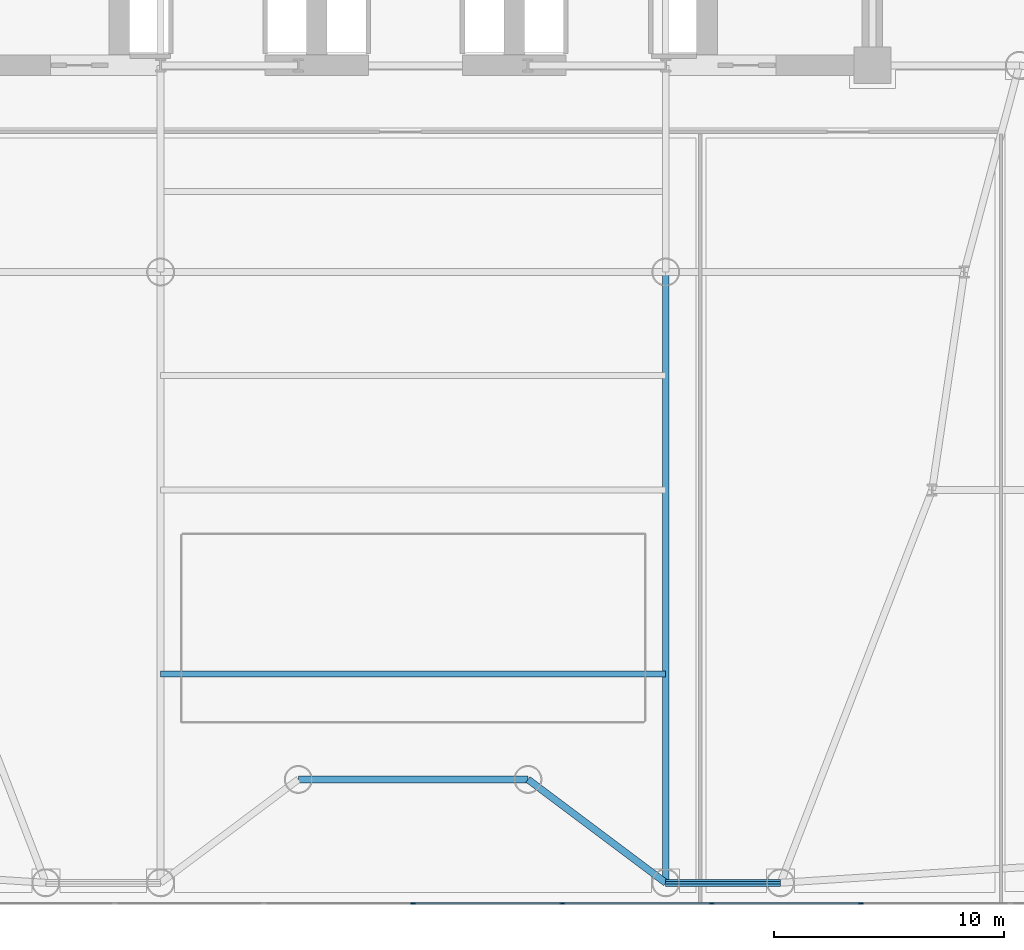
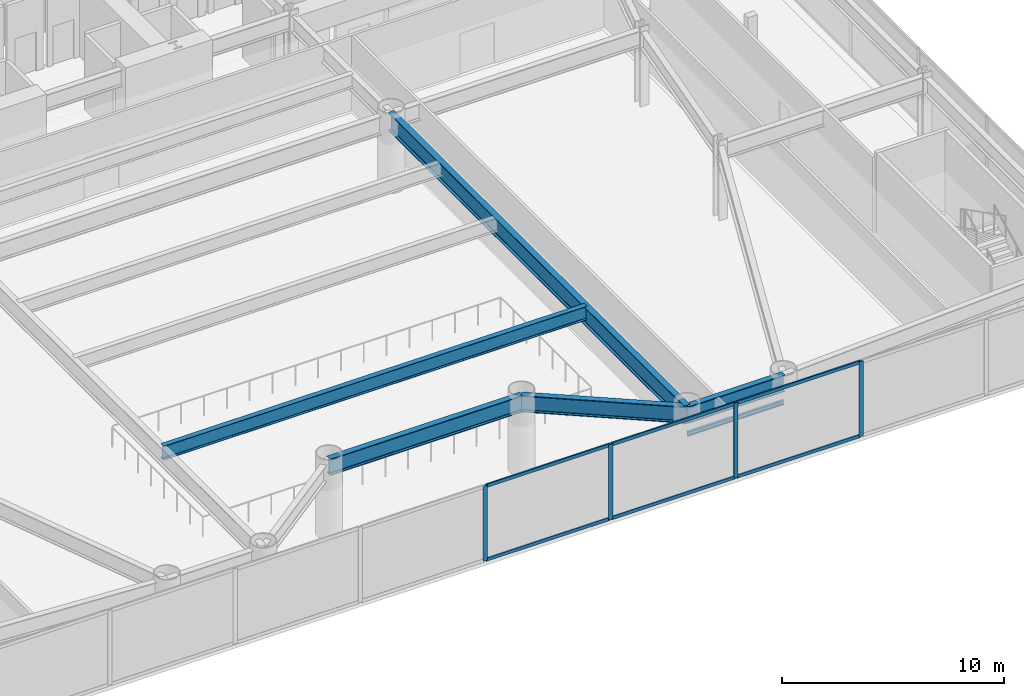
# One storey, part 4 of 24: 10 members, 6 beams, 1 element without a shape of its own.
"""IFC4 building model written with IfcOpenShell, lengths in metres."""

from ifc_helpers import new_model, si_unit, direction, frame, origin, origin_2d, place, context, subcontext, project, spatial, rectangle, i_section, extrude, source, transform, mapped, material, layer, layer_set, material_profile, profile_set, type_object, element, aggregate, save


model = new_model("IFC4")

# Units and contexts
model_context = context("Model", 3, precision=1e-05, world=origin(), true_north=direction((0.0, 1.0)))
body_context = subcontext(model_context, "Body", "Model", "MODEL_VIEW")
ifc_project = project(units=[si_unit("LENGTHUNIT", "METRE"), si_unit("AREAUNIT", "SQUARE_METRE"), si_unit("VOLUMEUNIT", "CUBIC_METRE"), si_unit("PLANEANGLEUNIT", "RADIAN"), si_unit("MASSUNIT", "GRAM", prefix="KILO")], contexts=[model_context])

# Site, building, storey
site_placement = place(None, origin())
site = spatial("IfcSite", under=ifc_project, at=site_placement, CompositionType="ELEMENT")
building_placement = place(site_placement, origin())
building = spatial("IfcBuilding", under=site, at=building_placement, Name="Vaeldorn Concourse Tower", CompositionType="ELEMENT")
storey_placement = place(building_placement, frame((0.0, 0.0, 5.60009765625)))
storey = spatial("IfcBuildingStorey", under=building, at=storey_placement, Name="L01", CompositionType="ELEMENT", Elevation=5.60009765625)

# Beams
ifc_material_1 = material(Name="Steel S355", Category="steel")
ifc_material_profile_1 = material_profile(ifc_material_1, i_section(OverallWidth=0.302001953125, OverallDepth=0.909912109375, WebThickness=0.02099609375, FlangeThickness=0.0400390625, FilletRadius=0.030029296875, at=origin_2d()), Name="HEM 900")
ifc_profile_set_1 = profile_set([ifc_material_profile_1], Name="Steel S355")
beam_type_1 = type_object("IfcBeamType", Name="BM-PG-HEM900", PredefinedType="BEAM", material=ifc_profile_set_1)
shared_shape_1 = source(origin(), body_context, "Body", "SweptSolid", [
    extrude(i_section(OverallWidth=0.302001953125, OverallDepth=0.909912109375, WebThickness=0.02099609375, FlangeThickness=0.0400390625, FilletRadius=0.030029296875, at=origin_2d()), origin(), (0.0, 0.0, 1.0), 10.0),
])
beam_1_placement = place(storey_placement, frame((29.0, 5.39990234375, 3.664794921875), z_axis=(1.0, 0.0, 0.0), x_axis=(0.0, 1.0, 0.0)))
element("IfcBeam", 1, at=beam_1_placement, inside=storey, type_object=beam_type_1, Name="Beam BM-L01-C-SM3-C-SM4", PredefinedType="BEAM", context=body_context, shape_type="MappedRepresentation", body=[
    mapped(shared_shape_1, transform((0.0, 0.0, 0.0), scale=1.0)),
])
shared_shape_2 = source(origin(), body_context, "Body", "SweptSolid", [
    extrude(i_section(OverallWidth=0.302001953125, OverallDepth=0.909912109375, WebThickness=0.02099609375, FlangeThickness=0.0400390625, FilletRadius=0.030029296875, at=origin_2d()), origin(), (0.0, 0.0, 1.0), 5.0),
])
beam_2_placement = place(storey_placement, frame((45.0, 0.89990234375, 3.664794921875), z_axis=(1.0, 0.0, 0.0), x_axis=(0.0, 1.0, 0.0)))
element("IfcBeam", 2, at=beam_2_placement, inside=storey, type_object=beam_type_1, Name="Beam BM-L01-C-SM5-C-SM6", PredefinedType="BEAM", context=body_context, shape_type="MappedRepresentation", body=[
    mapped(shared_shape_2, transform((0.0, 0.0, 0.0), scale=1.0)),
])
shared_shape_3 = source(origin(), body_context, "Body", "SweptSolid", [
    extrude(i_section(OverallWidth=0.302001953125, OverallDepth=0.909912109375, WebThickness=0.02099609375, FlangeThickness=0.0400390625, FilletRadius=0.030029296875, at=origin_2d()), origin(), (0.0, 0.0, 1.0), 7.5),
])
beam_3_placement = place(storey_placement, frame((39.0, 5.39990234375, 3.664794921875), z_axis=(0.8, -0.6, 0.0), x_axis=(0.6, 0.8, 0.0)))
element("IfcBeam", 3, at=beam_3_placement, inside=storey, type_object=beam_type_1, Name="Beam BM-L01-C-SM4-C-SM5", PredefinedType="BEAM", context=body_context, shape_type="MappedRepresentation", body=[
    mapped(shared_shape_3, transform((0.0, 0.0, 0.0), scale=1.0)),
])
ifc_material_2 = material(Name="Steel S460", Category="steel")
ifc_material_profile_2 = material_profile(ifc_material_2, i_section(OverallWidth=0.302001953125, OverallDepth=1.008056640625, WebThickness=0.02099609375, FlangeThickness=0.0400390625, FilletRadius=0.030029296875, at=origin_2d()), Name="HEM 1000")
ifc_profile_set_2 = profile_set([ifc_material_profile_2], Name="Steel S460")
beam_type_2 = type_object("IfcBeamType", Name="BM-TG-HEM1000", PredefinedType="BEAM", material=ifc_profile_set_2)
shared_shape_4 = source(origin(), body_context, "Body", "SweptSolid", [
    extrude(i_section(OverallWidth=0.302001953125, OverallDepth=1.008056640625, WebThickness=0.02099609375, FlangeThickness=0.0400390625, FilletRadius=0.030029296875, at=origin_2d()), origin(), (0.0, 0.0, 1.0), 26.60009765625),
])
beam_4_placement = place(storey_placement, frame((45.0, 0.89990234375, 3.615966796875), z_axis=(0.0, 1.0, 0.0), x_axis=(-1.0, 0.0, 0.0)))
element("IfcBeam", 4, at=beam_4_placement, inside=storey, type_object=beam_type_2, Name="Beam BM-L01-C-SM5-C-TW4", PredefinedType="BEAM", context=body_context, shape_type="MappedRepresentation", body=[
    mapped(shared_shape_4, transform((0.0, 0.0, 0.0), scale=1.0)),
])
ifc_material_profile_3 = material_profile(ifc_material_1, i_section(OverallWidth=0.26708984375, OverallDepth=0.761962890625, WebThickness=0.014404296875, FlangeThickness=0.021484375, FilletRadius=0.01708984375, at=origin_2d()), Name="IPE 750x173")
ifc_profile_set_3 = profile_set([ifc_material_profile_3], Name="Steel S355")
beam_type_3 = type_object("IfcBeamType", Name="BM-JS-IPE750", PredefinedType="JOIST", material=ifc_profile_set_3)
shared_shape_5 = source(origin(), body_context, "Body", "SweptSolid", [
    extrude(i_section(OverallWidth=0.26708984375, OverallDepth=0.761962890625, WebThickness=0.014404296875, FlangeThickness=0.021484375, FilletRadius=0.01708984375, at=origin_2d()), origin(), (0.0, 0.0, 1.0), 22.0),
])
beam_5_placement = place(storey_placement, frame((23.0, 10.0, 3.739013671875), z_axis=(1.0, 0.0, 0.0), x_axis=(0.0, 1.0, 0.0)))
element("IfcBeam", 5, at=beam_5_placement, inside=storey, type_object=beam_type_3, Name="Beam JS-L01-C-10", PredefinedType="JOIST", context=body_context, shape_type="MappedRepresentation", body=[
    mapped(shared_shape_5, transform((0.0, 0.0, 0.0), scale=1.0)),
])
ifc_material_profile_4 = material_profile(ifc_material_1, i_section(OverallWidth=0.1201171875, OverallDepth=0.239990234375, WebThickness=0.006103515625, FlangeThickness=0.009765625, FilletRadius=0.014892578125, at=origin_2d()), Name="IPE 240")
ifc_profile_set_4 = profile_set([ifc_material_profile_4], Name="Steel S355")
beam_type_4 = type_object("IfcBeamType", Name="BM-LN-IPE240", PredefinedType="LINTEL", material=ifc_profile_set_4)
shared_shape_6 = source(origin(), body_context, "Body", "SweptSolid", [
    extrude(i_section(OverallWidth=0.1201171875, OverallDepth=0.239990234375, WebThickness=0.006103515625, FlangeThickness=0.009765625, FilletRadius=0.014892578125, at=origin_2d()), origin(), (0.0, 0.0, 1.0), 5.0),
])
beam_6_placement = place(storey_placement, frame((45.0, 0.89990234375, 2.5498046875), z_axis=(1.0, 0.0, 0.0), x_axis=(0.0, 1.0, 0.0)))
element("IfcBeam", 6, at=beam_6_placement, inside=storey, type_object=beam_type_4, Name="Podium Concourse Transom Lintel L01-2", PredefinedType="LINTEL", context=body_context, shape_type="MappedRepresentation", body=[
    mapped(shared_shape_6, transform((0.0, 0.0, 0.0), scale=1.0)),
])

# Curtain wall, members
ifc_material_3 = material(Name="Anodised Bronze Aluminium", Category="aluminium")
ifc_layer = layer(ifc_material_3, 0.239990234375)
ifc_layer_set = layer_set([ifc_layer], Name="Anodised Bronze Aluminium")
curtain_wall_type = type_object("IfcCurtainWallType", Name="CW-SYS-04", PredefinedType="NOTDEFINED", material=ifc_layer_set)
curtain_wall_placement = place(storey_placement, origin())
curtain_wall = element("IfcCurtainWall", 7, at=curtain_wall_placement, inside=storey, type_object=curtain_wall_type, Name="Unitised Curtain Wall CW-L01-E01-1", PredefinedType="NOTDEFINED")
ifc_material_profile_5 = material_profile(ifc_material_3, rectangle(XDim=0.074951171875, YDim=0.219970703125, at=origin_2d()), Name="CWM 75x220")
ifc_profile_set_5 = profile_set([ifc_material_profile_5], Name="Anodised Bronze Aluminium")
member_type_1 = type_object("IfcMemberType", Name="CWM-BRONZE-220", PredefinedType="MULLION", material=ifc_profile_set_5)
shared_shape_7 = source(origin(), body_context, "Body", "SweptSolid", [
    extrude(rectangle(XDim=0.074951171875, YDim=0.219970703125, at=origin_2d()), origin(), (0.0, 0.0, 1.0), 4.119873046875),
])
member_1_placement = place(storey_placement, frame((34.0, 0.0, 0.0), z_axis=(0.0, 0.0, 1.0), x_axis=(0.0, 1.0, 0.0)))
member_1 = element("IfcMember", 8, at=member_1_placement, type_object=member_type_1, Name="CW-04 mullion 6", PredefinedType="MULLION", context=body_context, shape_type="MappedRepresentation", body=[
    mapped(shared_shape_7, transform((0.0, 0.0, 0.0), scale=1.0)),
])
member_2_placement = place(storey_placement, frame((40.5, 0.0, 0.0), z_axis=(0.0, 0.0, 1.0), x_axis=(0.0, 1.0, 0.0)))
member_2 = element("IfcMember", 9, at=member_2_placement, type_object=member_type_1, Name="CW-04 mullion 7", PredefinedType="MULLION", context=body_context, shape_type="MappedRepresentation", body=[
    mapped(shared_shape_7, transform((0.0, 0.0, 0.0), scale=1.0)),
])
member_3_placement = place(storey_placement, frame((47.0, 0.0, 0.0), z_axis=(0.0, 0.0, 1.0), x_axis=(0.0, 1.0, 0.0)))
member_3 = element("IfcMember", 10, at=member_3_placement, type_object=member_type_1, Name="CW-04 mullion 8", PredefinedType="MULLION", context=body_context, shape_type="MappedRepresentation", body=[
    mapped(shared_shape_7, transform((0.0, 0.0, 0.0), scale=1.0)),
])
member_4_placement = place(storey_placement, frame((53.5, 0.0, 0.0), z_axis=(0.0, 0.0, 1.0), x_axis=(0.0, 1.0, 0.0)))
member_4 = element("IfcMember", 11, at=member_4_placement, type_object=member_type_1, Name="CW-04 mullion 9", PredefinedType="MULLION", context=body_context, shape_type="MappedRepresentation", body=[
    mapped(shared_shape_7, transform((0.0, 0.0, 0.0), scale=1.0)),
])
ifc_material_profile_6 = material_profile(ifc_material_3, rectangle(XDim=0.074951171875, YDim=0.179931640625, at=origin_2d()), Name="CWT 75x180")
ifc_profile_set_6 = profile_set([ifc_material_profile_6], Name="Anodised Bronze Aluminium")
member_type_2 = type_object("IfcMemberType", Name="CWT-BRONZE-180", PredefinedType="USERDEFINED", material=ifc_profile_set_6)
shared_shape_8 = source(origin(), body_context, "Body", "SweptSolid", [
    extrude(rectangle(XDim=0.074951171875, YDim=0.179931640625, at=origin_2d()), origin(), (0.0, 0.0, 1.0), 6.4248046875),
])
member_5_placement = place(storey_placement, frame((34.03759765625, 0.0, 0.037353515625), z_axis=(1.0, 0.0, 0.0), x_axis=(0.0, 1.0, 0.0)))
member_5 = element("IfcMember", 12, at=member_5_placement, type_object=member_type_2, Name="CW-04 transom 6.1", ObjectType="TRANSOM", PredefinedType="USERDEFINED", context=body_context, shape_type="MappedRepresentation", body=[
    mapped(shared_shape_8, transform((0.0, 0.0, 0.0), scale=1.0)),
])
member_6_placement = place(storey_placement, frame((34.03759765625, 0.0, 4.08251953125), z_axis=(1.0, 0.0, 0.0), x_axis=(0.0, 1.0, 0.0)))
member_6 = element("IfcMember", 13, at=member_6_placement, type_object=member_type_2, Name="CW-04 transom 6.2", ObjectType="TRANSOM", PredefinedType="USERDEFINED", context=body_context, shape_type="MappedRepresentation", body=[
    mapped(shared_shape_8, transform((0.0, 0.0, 0.0), scale=1.0)),
])
member_7_placement = place(storey_placement, frame((40.53759765625, 0.0, 0.037353515625), z_axis=(1.0, 0.0, 0.0), x_axis=(0.0, 1.0, 0.0)))
member_7 = element("IfcMember", 14, at=member_7_placement, type_object=member_type_2, Name="CW-04 transom 7.1", ObjectType="TRANSOM", PredefinedType="USERDEFINED", context=body_context, shape_type="MappedRepresentation", body=[
    mapped(shared_shape_8, transform((0.0, 0.0, 0.0), scale=1.0)),
])
member_8_placement = place(storey_placement, frame((40.53759765625, 0.0, 4.08251953125), z_axis=(1.0, 0.0, 0.0), x_axis=(0.0, 1.0, 0.0)))
member_8 = element("IfcMember", 15, at=member_8_placement, type_object=member_type_2, Name="CW-04 transom 7.2", ObjectType="TRANSOM", PredefinedType="USERDEFINED", context=body_context, shape_type="MappedRepresentation", body=[
    mapped(shared_shape_8, transform((0.0, 0.0, 0.0), scale=1.0)),
])
member_9_placement = place(storey_placement, frame((47.03759765625, 0.0, 0.037353515625), z_axis=(1.0, 0.0, 0.0), x_axis=(0.0, 1.0, 0.0)))
member_9 = element("IfcMember", 16, at=member_9_placement, type_object=member_type_2, Name="CW-04 transom 8.1", ObjectType="TRANSOM", PredefinedType="USERDEFINED", context=body_context, shape_type="MappedRepresentation", body=[
    mapped(shared_shape_8, transform((0.0, 0.0, 0.0), scale=1.0)),
])
member_10_placement = place(storey_placement, frame((47.03759765625, 0.0, 4.08251953125), z_axis=(1.0, 0.0, 0.0), x_axis=(0.0, 1.0, 0.0)))
member_10 = element("IfcMember", 17, at=member_10_placement, type_object=member_type_2, Name="CW-04 transom 8.2", ObjectType="TRANSOM", PredefinedType="USERDEFINED", context=body_context, shape_type="MappedRepresentation", body=[
    mapped(shared_shape_8, transform((0.0, 0.0, 0.0), scale=1.0)),
])
aggregate(curtain_wall, [member_1, member_2, member_3, member_4, member_5, member_6, member_7, member_8, member_9, member_10])

save(model, "model.ifc")
